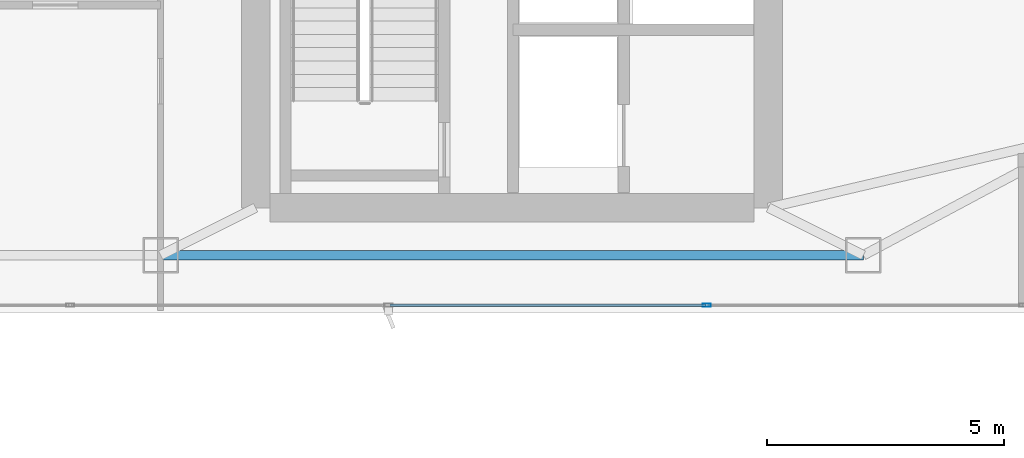
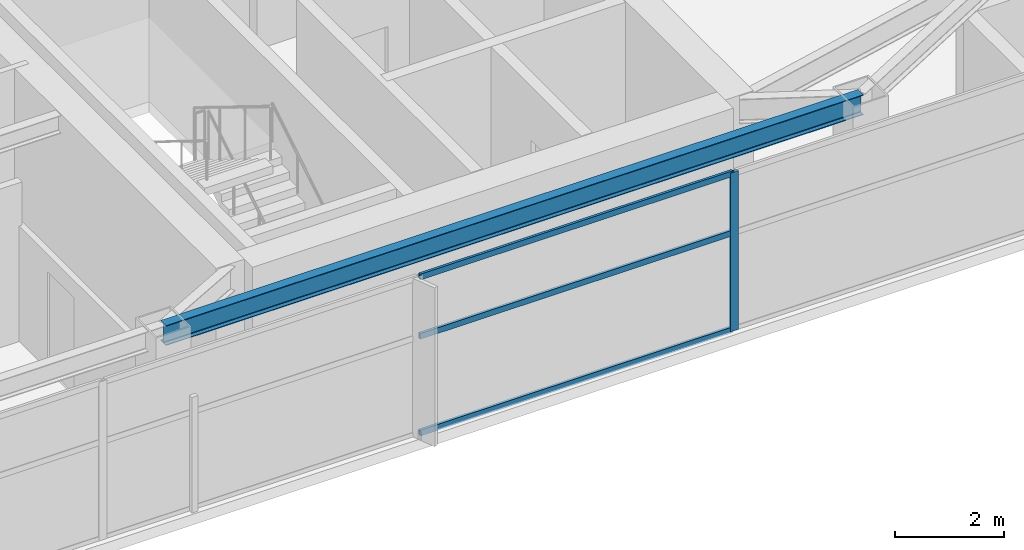
# One storey, part 8 of 27: 4 members, 1 beam, 1 element without a shape of its own.
"""IFC4 building model written with IfcOpenShell, lengths in metres."""

from ifc_helpers import new_model, si_unit, direction, frame, origin, origin_2d, place, context, subcontext, project, spatial, hollow_rectangle, i_section, extrude, material, layer, layer_set, material_profile, profile_set, type_object, element, aggregate, save


model = new_model("IFC4")

# Units and contexts
model_context = context("Model", 3, precision=1e-05, world=origin(), true_north=direction((0.0, 1.0)))
body_context = subcontext(model_context, "Body", "Model", "MODEL_VIEW")
ifc_project = project(units=[si_unit("LENGTHUNIT", "METRE"), si_unit("AREAUNIT", "SQUARE_METRE"), si_unit("VOLUMEUNIT", "CUBIC_METRE"), si_unit("PLANEANGLEUNIT", "RADIAN"), si_unit("MASSUNIT", "GRAM", prefix="KILO")], contexts=[model_context])

# Site, building, storey
site_placement = place(None, origin())
site = spatial("IfcSite", under=ifc_project, at=site_placement, CompositionType="ELEMENT")
building_placement = place(site_placement, origin())
building = spatial("IfcBuilding", under=site, at=building_placement, Name="Calvorn Quay Hotel", CompositionType="ELEMENT")
storey_placement = place(building_placement, frame((0.0, 0.0, 298.699951171875)))
storey = spatial("IfcBuildingStorey", under=building, at=storey_placement, Name="L74", CompositionType="ELEMENT", Elevation=298.699951171875)

# Beam
ifc_material_1 = material(Name="Steel Q355B", Category="steel")
ifc_material_profile_1 = material_profile(ifc_material_1, i_section(OverallWidth=0.199951171875, OverallDepth=0.449951171875, WebThickness=0.009033203125, FlangeThickness=0.013916015625, FilletRadius=0.01611328125, at=origin_2d()), Name="HN450x200x9x14")
ifc_profile_set_1 = profile_set([ifc_material_profile_1], Name="Steel Q355B")
beam_type = type_object("IfcBeamType", Name="BM-SPANDREL-Z3", PredefinedType="SPANDREL", material=ifc_profile_set_1)
beam_placement = place(storey_placement, frame((19.60009765625, 3.60009765625, 3.31494140625), z_axis=(1.0, 0.0, 0.0), x_axis=(0.0, 1.0, 0.0)))
element("IfcBeam", 1, at=beam_placement, inside=storey, type_object=beam_type, Name="Beam BSP-L74-S3", PredefinedType="SPANDREL", context=body_context, shape_type="SweptSolid", body=[
    extrude(i_section(OverallWidth=0.199951171875, OverallDepth=0.449951171875, WebThickness=0.009033203125, FlangeThickness=0.013916015625, FilletRadius=0.01611328125, at=origin_2d()), origin(), (0.0, 0.0, 1.0), 14.7998046875),
])

# Curtain wall, members
ifc_material_2 = material(Name="Champagne Bronze Anodised Aluminium and Low-E Glass", Category="aluminium")
ifc_layer = layer(ifc_material_2, 0.219970703125)
ifc_layer_set = layer_set([ifc_layer], Name="CW-SYS-Z4")
curtain_wall_type = type_object("IfcCurtainWallType", Name="CW-SYS-Z4", PredefinedType="NOTDEFINED", material=ifc_layer_set)
curtain_wall_placement = place(storey_placement, origin())
curtain_wall = element("IfcCurtainWall", 2, at=curtain_wall_placement, inside=storey, type_object=curtain_wall_type, Name="Tower South Waterfront Curtain Wall (L74)", PredefinedType="NOTDEFINED")
ifc_material_3 = material(Name="Champagne Bronze Anodised Aluminium 6063-T6", Category="aluminium")
ifc_material_profile_2 = material_profile(ifc_material_3, hollow_rectangle(XDim=0.06494140625, YDim=0.169921875, WallThickness=0.00341796875, at=origin_2d()), Name="ALU-M170x65x3.5")
ifc_profile_set_2 = profile_set([ifc_material_profile_2], Name="Champagne Bronze Anodised Aluminium 6063-T6")
member_type_1 = type_object("IfcMemberType", Name="CW-SYS-Z4-MUL", PredefinedType="MULLION", material=ifc_profile_set_2)
member_1_placement = place(storey_placement, frame((31.10009765625, 2.550048828125, 0.0), z_axis=(0.0, 0.0, 1.0), x_axis=(0.0, 1.0, 0.0)))
member_1 = element("IfcMember", 3, at=member_1_placement, type_object=member_type_1, Name="CW-L74-S mullion 4", PredefinedType="MULLION", context=body_context, shape_type="SweptSolid", body=[
    extrude(hollow_rectangle(XDim=0.06494140625, YDim=0.169921875, WallThickness=0.00341796875, at=origin_2d()), origin(), (0.0, 0.0, 1.0), 3.56005859375),
])
ifc_material_4 = material(Name="Champagne Bronze Anodised Aluminium 6063-T6", Category="aluminium")
ifc_material_profile_3 = material_profile(ifc_material_4, hollow_rectangle(XDim=0.054931640625, YDim=0.1298828125, WallThickness=0.003173828125, at=origin_2d()), Name="ALU-T130x55x3.2")
ifc_profile_set_3 = profile_set([ifc_material_profile_3], Name="Champagne Bronze Anodised Aluminium 6063-T6")
member_type_2 = type_object("IfcMemberType", Name="CW-SYS-Z4-TRN", PredefinedType="USERDEFINED", material=ifc_profile_set_3)
member_2_placement = place(storey_placement, frame((24.429931640625, 2.550048828125, 0.030029296875), z_axis=(1.0, 0.0, 0.0), x_axis=(0.0, 1.0, 0.0)))
member_2 = element("IfcMember", 4, at=member_2_placement, type_object=member_type_2, Name="CW-L74-S transom 3.1", ObjectType="TRANSOM", PredefinedType="USERDEFINED", context=body_context, shape_type="SweptSolid", body=[
    extrude(hollow_rectangle(XDim=0.054931640625, YDim=0.1298828125, WallThickness=0.003173828125, at=origin_2d()), origin(), (0.0, 0.0, 1.0), 6.64013671875),
])
member_3_placement = place(storey_placement, frame((24.429931640625, 2.550048828125, 2.199951171875), z_axis=(1.0, 0.0, 0.0), x_axis=(0.0, 1.0, 0.0)))
member_3 = element("IfcMember", 5, at=member_3_placement, type_object=member_type_2, Name="CW-L74-S transom 3.2", ObjectType="TRANSOM", PredefinedType="USERDEFINED", context=body_context, shape_type="SweptSolid", body=[
    extrude(hollow_rectangle(XDim=0.054931640625, YDim=0.1298828125, WallThickness=0.003173828125, at=origin_2d()), origin(), (0.0, 0.0, 1.0), 6.64013671875),
])
member_4_placement = place(storey_placement, frame((24.429931640625, 2.550048828125, 3.530029296875), z_axis=(1.0, 0.0, 0.0), x_axis=(0.0, 1.0, 0.0)))
member_4 = element("IfcMember", 6, at=member_4_placement, type_object=member_type_2, Name="CW-L74-S transom 3.3", ObjectType="TRANSOM", PredefinedType="USERDEFINED", context=body_context, shape_type="SweptSolid", body=[
    extrude(hollow_rectangle(XDim=0.054931640625, YDim=0.1298828125, WallThickness=0.003173828125, at=origin_2d()), origin(), (0.0, 0.0, 1.0), 6.64013671875),
])
aggregate(curtain_wall, [member_1, member_2, member_3, member_4])

save(model, "model.ifc")
